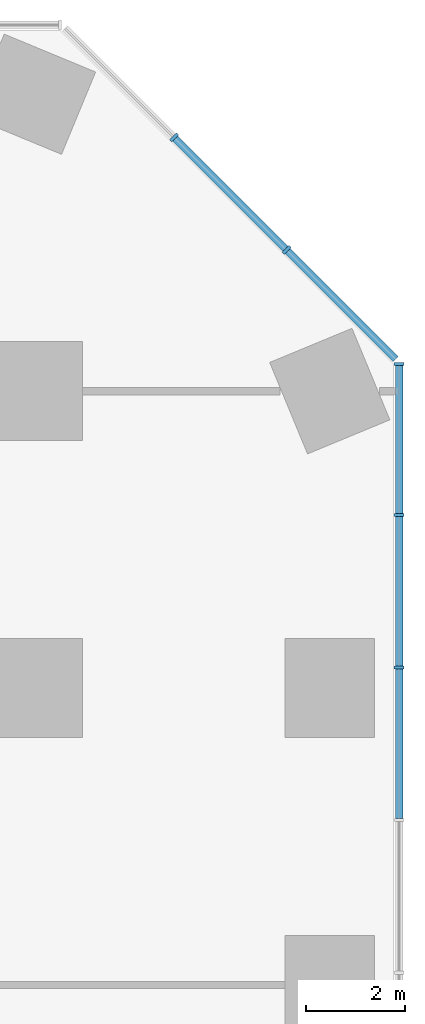
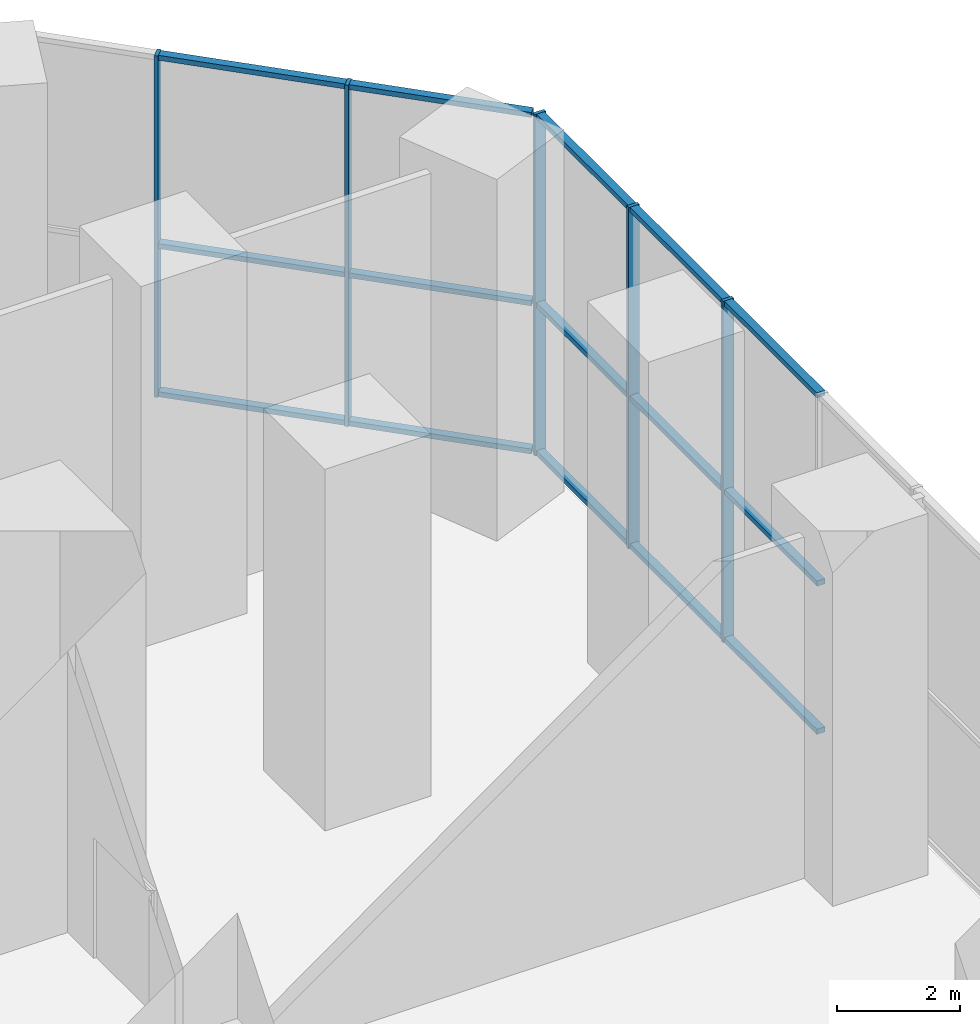
# One storey, part 8 of 16: 20 members, 2 elements without a shape of their own.
"""IFC4 building model written with IfcOpenShell, lengths in metres."""

from ifc_helpers import new_model, si_unit, direction, frame, origin, origin_2d, place, context, subcontext, project, spatial, rectangle, extrude, material, layer, layer_set, material_profile, profile_set, type_object, element, aggregate, save


model = new_model("IFC4")

# Units and contexts
model_context = context("Model", 3, precision=1e-05, world=origin(), true_north=direction((0.0, 1.0)))
body_context = subcontext(model_context, "Body", "Model", "MODEL_VIEW")
ifc_project = project(units=[si_unit("LENGTHUNIT", "METRE"), si_unit("AREAUNIT", "SQUARE_METRE"), si_unit("VOLUMEUNIT", "CUBIC_METRE"), si_unit("PLANEANGLEUNIT", "RADIAN"), si_unit("MASSUNIT", "GRAM", prefix="KILO")], contexts=[model_context])

# Site, building, storey
site_placement = place(None, origin())
site = spatial("IfcSite", under=ifc_project, at=site_placement, CompositionType="ELEMENT")
building_placement = place(site_placement, origin())
building = spatial("IfcBuilding", under=site, at=building_placement, Name="Highveld Stack Headquarters", CompositionType="ELEMENT")
storey_placement = place(building_placement, frame((0.0, 0.0, 11.0)))
storey = spatial("IfcBuildingStorey", under=building, at=storey_placement, Name="L02", CompositionType="ELEMENT", Elevation=11.0)

# Curtain wall, members
ifc_material_1 = material(Name="Aluminium bronze anodised", Category="aluminium")
ifc_layer = layer(ifc_material_1, 0.199951171875)
ifc_layer_set = layer_set([ifc_layer], Name="Aluminium bronze anodised")
curtain_wall_type = type_object("IfcCurtainWallType", Name="CW3 PODIUM STICK CURTAIN WALL", PredefinedType="NOTDEFINED", material=ifc_layer_set)
curtain_wall_1_placement = place(storey_placement, origin())
curtain_wall_1 = element("IfcCurtainWall", 1, at=curtain_wall_1_placement, inside=storey, type_object=curtain_wall_type, Name="Curtain wall CW3 L02 E", PredefinedType="NOTDEFINED")
ifc_material_2 = material(Name="Aluminium bronze anodised", Category="aluminium")
ifc_material_profile_1 = material_profile(ifc_material_2, rectangle(XDim=0.199951171875, YDim=0.06494140625, at=origin_2d()), Name="CW3 MULLION 65x200")
ifc_profile_set_1 = profile_set([ifc_material_profile_1], Name="Aluminium bronze anodised")
member_type_1 = type_object("IfcMemberType", Name="CW3 MULLION 65x200", PredefinedType="MULLION", material=ifc_profile_set_1)
member_1_placement = place(storey_placement, frame((37.39990234375, 18.414306640625, 0.0), z_axis=(0.0, 0.0, 1.0), x_axis=(-1.0, 0.0, 0.0)))
member_1 = element("IfcMember", 2, at=member_1_placement, type_object=member_type_1, Name="CW3 mullion L02 13", PredefinedType="MULLION", context=body_context, shape_type="SweptSolid", body=[
    extrude(rectangle(XDim=0.199951171875, YDim=0.06494140625, at=origin_2d()), origin(), (0.0, 0.0, 1.0), 6.800048828125),
])
member_2_placement = place(storey_placement, frame((37.39990234375, 21.4970703125, 0.0), z_axis=(0.0, 0.0, 1.0), x_axis=(-1.0, 0.0, 0.0)))
member_2 = element("IfcMember", 3, at=member_2_placement, type_object=member_type_1, Name="CW3 mullion L02 14", PredefinedType="MULLION", context=body_context, shape_type="SweptSolid", body=[
    extrude(rectangle(XDim=0.199951171875, YDim=0.06494140625, at=origin_2d()), origin(), (0.0, 0.0, 1.0), 6.800048828125),
])
member_3_placement = place(storey_placement, frame((37.39990234375, 24.54736328125, 0.0), z_axis=(0.0, 0.0, 1.0), x_axis=(-1.0, 0.0, 0.0)))
member_3 = element("IfcMember", 4, at=member_3_placement, type_object=member_type_1, Name="CW3 mullion L02 15", PredefinedType="MULLION", context=body_context, shape_type="SweptSolid", body=[
    extrude(rectangle(XDim=0.199951171875, YDim=0.06494140625, at=origin_2d()), origin(), (0.0, 0.0, 1.0), 6.800048828125),
])

curtain_wall_2_placement = place(storey_placement, origin())
curtain_wall_2 = element("IfcCurtainWall", 5, at=curtain_wall_2_placement, inside=storey, type_object=curtain_wall_type, Name="Curtain wall CW3 L02 NE", PredefinedType="NOTDEFINED")
member_4_placement = place(storey_placement, frame((35.126708984375, 26.853271484375, 0.0), z_axis=(0.0, 0.0, 1.0), x_axis=(-0.707106781187, -0.707106781187, 0.0)))
member_4 = element("IfcMember", 6, at=member_4_placement, type_object=member_type_1, Name="CW3 mullion L02 1", PredefinedType="MULLION", context=body_context, shape_type="SweptSolid", body=[
    extrude(rectangle(XDim=0.199951171875, YDim=0.06494140625, at=origin_2d()), origin(), (0.0, 0.0, 1.0), 6.800048828125),
])
member_5_placement = place(storey_placement, frame((32.853271484375, 29.126708984375, 0.0), z_axis=(0.0, 0.0, 1.0), x_axis=(-0.707106781187, -0.707106781187, 0.0)))
member_5 = element("IfcMember", 7, at=member_5_placement, type_object=member_type_1, Name="CW3 mullion L02 2", PredefinedType="MULLION", context=body_context, shape_type="SweptSolid", body=[
    extrude(rectangle(XDim=0.199951171875, YDim=0.06494140625, at=origin_2d()), origin(), (0.0, 0.0, 1.0), 6.800048828125),
])

# Member
ifc_material_3 = material(Name="Aluminium bronze anodised", Category="aluminium")
ifc_material_profile_2 = material_profile(ifc_material_3, rectangle(XDim=0.14990234375, YDim=0.10009765625, at=origin_2d()), Name="CW3 TRANSOM 150x100")
ifc_profile_set_2 = profile_set([ifc_material_profile_2], Name="Aluminium bronze anodised")
member_type_2 = type_object("IfcMemberType", Name="CW3 STACK TRANSOM 150x100", PredefinedType="USERDEFINED", material=ifc_profile_set_2)
member_6_placement = place(storey_placement, frame((37.39990234375, 15.364013671875, 0.050048828125), z_axis=(0.0, 1.0, 0.0), x_axis=(-1.0, 0.0, 0.0)))
member_6 = element("IfcMember", 8, at=member_6_placement, type_object=member_type_2, Name="CW3 transom L02 12.1", ObjectType="TRANSOM", PredefinedType="USERDEFINED", context=body_context, shape_type="SweptSolid", body=[
    extrude(rectangle(XDim=0.14990234375, YDim=0.10009765625, at=origin_2d()), origin(), (0.0, 0.0, 1.0), 3.017578125),
])

member_7_placement = place(storey_placement, frame((37.39990234375, 15.364013671875, 3.0), z_axis=(0.0, 1.0, 0.0), x_axis=(-1.0, 0.0, 0.0)))
member_7 = element("IfcMember", 9, at=member_7_placement, type_object=member_type_2, Name="CW3 transom L02 12.2", ObjectType="TRANSOM", PredefinedType="USERDEFINED", context=body_context, shape_type="SweptSolid", body=[
    extrude(rectangle(XDim=0.14990234375, YDim=0.10009765625, at=origin_2d()), origin(), (0.0, 0.0, 1.0), 3.017578125),
])

member_8_placement = place(storey_placement, frame((37.39990234375, 15.364013671875, 6.75), z_axis=(0.0, 1.0, 0.0), x_axis=(-1.0, 0.0, 0.0)))
member_8 = element("IfcMember", 10, at=member_8_placement, type_object=member_type_2, Name="CW3 transom L02 12.3", ObjectType="TRANSOM", PredefinedType="USERDEFINED", context=body_context, shape_type="SweptSolid", body=[
    extrude(rectangle(XDim=0.14990234375, YDim=0.10009765625, at=origin_2d()), origin(), (0.0, 0.0, 1.0), 3.017578125),
])

member_9_placement = place(storey_placement, frame((37.39990234375, 18.44677734375, 0.050048828125), z_axis=(0.0, 1.0, 0.0), x_axis=(-1.0, 0.0, 0.0)))
member_9 = element("IfcMember", 11, at=member_9_placement, type_object=member_type_2, Name="CW3 transom L02 13.1", ObjectType="TRANSOM", PredefinedType="USERDEFINED", context=body_context, shape_type="SweptSolid", body=[
    extrude(rectangle(XDim=0.14990234375, YDim=0.10009765625, at=origin_2d()), origin(), (0.0, 0.0, 1.0), 3.017822265625),
])

member_10_placement = place(storey_placement, frame((37.39990234375, 18.44677734375, 3.0), z_axis=(0.0, 1.0, 0.0), x_axis=(-1.0, 0.0, 0.0)))
member_10 = element("IfcMember", 12, at=member_10_placement, type_object=member_type_2, Name="CW3 transom L02 13.2", ObjectType="TRANSOM", PredefinedType="USERDEFINED", context=body_context, shape_type="SweptSolid", body=[
    extrude(rectangle(XDim=0.14990234375, YDim=0.10009765625, at=origin_2d()), origin(), (0.0, 0.0, 1.0), 3.017822265625),
])

member_11_placement = place(storey_placement, frame((37.39990234375, 18.44677734375, 6.75), z_axis=(0.0, 1.0, 0.0), x_axis=(-1.0, 0.0, 0.0)))
member_11 = element("IfcMember", 13, at=member_11_placement, type_object=member_type_2, Name="CW3 transom L02 13.3", ObjectType="TRANSOM", PredefinedType="USERDEFINED", context=body_context, shape_type="SweptSolid", body=[
    extrude(rectangle(XDim=0.14990234375, YDim=0.10009765625, at=origin_2d()), origin(), (0.0, 0.0, 1.0), 3.017822265625),
])

member_12_placement = place(storey_placement, frame((37.39990234375, 21.529541015625, 0.050048828125), z_axis=(0.0, 1.0, 0.0), x_axis=(-1.0, 0.0, 0.0)))
member_12 = element("IfcMember", 14, at=member_12_placement, type_object=member_type_2, Name="CW3 transom L02 14.1", ObjectType="TRANSOM", PredefinedType="USERDEFINED", context=body_context, shape_type="SweptSolid", body=[
    extrude(rectangle(XDim=0.14990234375, YDim=0.10009765625, at=origin_2d()), origin(), (0.0, 0.0, 1.0), 2.9853515625),
])

member_13_placement = place(storey_placement, frame((37.39990234375, 21.529541015625, 3.0), z_axis=(0.0, 1.0, 0.0), x_axis=(-1.0, 0.0, 0.0)))
member_13 = element("IfcMember", 15, at=member_13_placement, type_object=member_type_2, Name="CW3 transom L02 14.2", ObjectType="TRANSOM", PredefinedType="USERDEFINED", context=body_context, shape_type="SweptSolid", body=[
    extrude(rectangle(XDim=0.14990234375, YDim=0.10009765625, at=origin_2d()), origin(), (0.0, 0.0, 1.0), 2.9853515625),
])

member_14_placement = place(storey_placement, frame((37.39990234375, 21.529541015625, 6.75), z_axis=(0.0, 1.0, 0.0), x_axis=(-1.0, 0.0, 0.0)))
member_14 = element("IfcMember", 16, at=member_14_placement, type_object=member_type_2, Name="CW3 transom L02 14.3", ObjectType="TRANSOM", PredefinedType="USERDEFINED", context=body_context, shape_type="SweptSolid", body=[
    extrude(rectangle(XDim=0.14990234375, YDim=0.10009765625, at=origin_2d()), origin(), (0.0, 0.0, 1.0), 2.9853515625),
])

aggregate(curtain_wall_1, [member_1, member_2, member_3, member_6, member_7, member_8, member_9, member_10, member_11, member_12, member_13, member_14])

member_15_placement = place(storey_placement, frame((37.329345703125, 24.650634765625, 0.050048828125), z_axis=(-0.707106781187, 0.707106781187, 0.0), x_axis=(-0.707106781187, -0.707106781187, 0.0)))
member_15 = element("IfcMember", 17, at=member_15_placement, type_object=member_type_2, Name="CW3 transom L02 1.1", ObjectType="TRANSOM", PredefinedType="USERDEFINED", context=body_context, shape_type="SweptSolid", body=[
    extrude(rectangle(XDim=0.14990234375, YDim=0.10009765625, at=origin_2d()), origin(), (0.0, 0.0, 1.0), 3.08251953125),
])

member_16_placement = place(storey_placement, frame((37.329345703125, 24.650634765625, 3.0), z_axis=(-0.707106781187, 0.707106781187, 0.0), x_axis=(-0.707106781187, -0.707106781187, 0.0)))
member_16 = element("IfcMember", 18, at=member_16_placement, type_object=member_type_2, Name="CW3 transom L02 1.2", ObjectType="TRANSOM", PredefinedType="USERDEFINED", context=body_context, shape_type="SweptSolid", body=[
    extrude(rectangle(XDim=0.14990234375, YDim=0.10009765625, at=origin_2d()), origin(), (0.0, 0.0, 1.0), 3.08251953125),
])

member_17_placement = place(storey_placement, frame((37.329345703125, 24.650634765625, 6.75), z_axis=(-0.707106781187, 0.707106781187, 0.0), x_axis=(-0.707106781187, -0.707106781187, 0.0)))
member_17 = element("IfcMember", 19, at=member_17_placement, type_object=member_type_2, Name="CW3 transom L02 1.3", ObjectType="TRANSOM", PredefinedType="USERDEFINED", context=body_context, shape_type="SweptSolid", body=[
    extrude(rectangle(XDim=0.14990234375, YDim=0.10009765625, at=origin_2d()), origin(), (0.0, 0.0, 1.0), 3.08251953125),
])

member_18_placement = place(storey_placement, frame((35.103759765625, 26.876220703125, 0.050048828125), z_axis=(-0.707106781187, 0.707106781187, 0.0), x_axis=(-0.707106781187, -0.707106781187, 0.0)))
member_18 = element("IfcMember", 20, at=member_18_placement, type_object=member_type_2, Name="CW3 transom L02 2.1", ObjectType="TRANSOM", PredefinedType="USERDEFINED", context=body_context, shape_type="SweptSolid", body=[
    extrude(rectangle(XDim=0.14990234375, YDim=0.10009765625, at=origin_2d()), origin(), (0.0, 0.0, 1.0), 3.150146484375),
])

member_19_placement = place(storey_placement, frame((35.103759765625, 26.876220703125, 3.0), z_axis=(-0.707106781187, 0.707106781187, 0.0), x_axis=(-0.707106781187, -0.707106781187, 0.0)))
member_19 = element("IfcMember", 21, at=member_19_placement, type_object=member_type_2, Name="CW3 transom L02 2.2", ObjectType="TRANSOM", PredefinedType="USERDEFINED", context=body_context, shape_type="SweptSolid", body=[
    extrude(rectangle(XDim=0.14990234375, YDim=0.10009765625, at=origin_2d()), origin(), (0.0, 0.0, 1.0), 3.150146484375),
])

member_20_placement = place(storey_placement, frame((35.103759765625, 26.876220703125, 6.75), z_axis=(-0.707106781187, 0.707106781187, 0.0), x_axis=(-0.707106781187, -0.707106781187, 0.0)))
member_20 = element("IfcMember", 22, at=member_20_placement, type_object=member_type_2, Name="CW3 transom L02 2.3", ObjectType="TRANSOM", PredefinedType="USERDEFINED", context=body_context, shape_type="SweptSolid", body=[
    extrude(rectangle(XDim=0.14990234375, YDim=0.10009765625, at=origin_2d()), origin(), (0.0, 0.0, 1.0), 3.150146484375),
])

aggregate(curtain_wall_2, [member_4, member_5, member_15, member_16, member_17, member_18, member_19, member_20])

save(model, "model.ifc")
